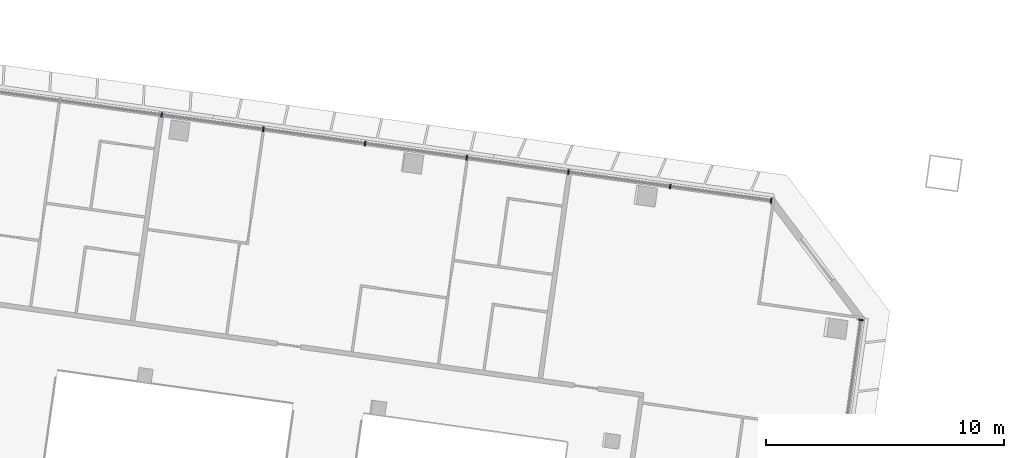
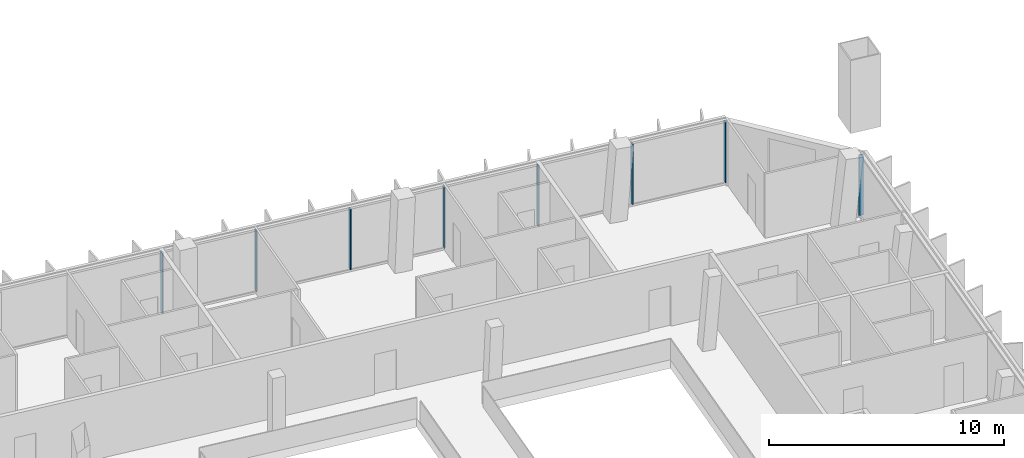
# One storey, part 6 of 23: 8 members, 2 elements without a shape of their own.
"""IFC4 building model written with IfcOpenShell, lengths in metres."""

from ifc_helpers import new_model, si_unit, direction, frame, origin, origin_2d, place, context, subcontext, project, spatial, rectangle, extrude, material, material_profile, profile_set, type_object, element, aggregate, save


model = new_model("IFC4")

# Units and contexts
model_context = context("Model", 3, precision=1e-05, world=origin(), true_north=direction((0.0, 1.0)))
body_context = subcontext(model_context, "Body", "Model", "MODEL_VIEW")
ifc_project = project(units=[si_unit("LENGTHUNIT", "METRE"), si_unit("AREAUNIT", "SQUARE_METRE"), si_unit("VOLUMEUNIT", "CUBIC_METRE"), si_unit("PLANEANGLEUNIT", "RADIAN"), si_unit("MASSUNIT", "GRAM", prefix="KILO")], contexts=[model_context])

# Site, building, storey
site_placement = place(None, origin())
site = spatial("IfcSite", under=ifc_project, at=site_placement, CompositionType="ELEMENT")
building_placement = place(site_placement, origin())
building = spatial("IfcBuilding", under=site, at=building_placement, Name="Mirante Cascada Hotel Towers", CompositionType="ELEMENT")
storey_placement = place(building_placement, frame((0.0, 0.0, 199.2)))
storey = spatial("IfcBuildingStorey", under=building, at=storey_placement, Name="L47", CompositionType="ELEMENT", Elevation=199.2)

# Curtain wall, members
ifc_material_1 = material(Name="Aluminium mullion and transom frame with clear laminated glass", Category="aluminium")
curtain_wall_type_1 = type_object("IfcCurtainWallType", Name="Ribbon curtain wall ECW1", PredefinedType="NOTDEFINED", material=ifc_material_1)
curtain_wall_1_placement = place(storey_placement, origin())
curtain_wall_1 = element("IfcCurtainWall", 1, at=curtain_wall_1_placement, inside=storey, type_object=curtain_wall_type_1, Name="Front ribbon wall T1 L47", PredefinedType="NOTDEFINED")
ifc_material_2 = material(Name="Anodised aluminium extrusion", Category="aluminium")
ifc_material_profile_1 = material_profile(ifc_material_2, rectangle(XDim=0.2, YDim=0.065, at=origin_2d()), Name="ECW1 MULLION 65x200")
ifc_profile_set_1 = profile_set([ifc_material_profile_1], Name="Anodised aluminium extrusion")
member_type_1 = type_object("IfcMemberType", Name="ECW1 mullion 65x200", PredefinedType="MULLION", material=ifc_profile_set_1)
member_1_placement = place(storey_placement, frame((-54.9376, 20.54, 0.1), z_axis=(0.0, 0.0, 1.0), x_axis=(0.1391731, 0.9902681, 0.0)))
member_1 = element("IfcMember", 2, at=member_1_placement, type_object=member_type_1, Name="ECW1 mullion 6", PredefinedType="MULLION", context=body_context, shape_type="SweptSolid", body=[
    extrude(rectangle(XDim=0.2, YDim=0.065, at=origin_2d()), origin(), (0.0, 0.0, 1.0), 3.15),
])
member_2_placement = place(storey_placement, frame((-50.6585, 19.9386, 0.1), z_axis=(0.0, 0.0, 1.0), x_axis=(0.1391731, 0.9902681, 0.0)))
member_2 = element("IfcMember", 3, at=member_2_placement, type_object=member_type_1, Name="ECW1 mullion 7", PredefinedType="MULLION", context=body_context, shape_type="SweptSolid", body=[
    extrude(rectangle(XDim=0.2, YDim=0.065, at=origin_2d()), origin(), (0.0, 0.0, 1.0), 3.15),
])
member_3_placement = place(storey_placement, frame((-46.3793, 19.3372, 0.1), z_axis=(0.0, 0.0, 1.0), x_axis=(0.1391731, 0.9902681, 0.0)))
member_3 = element("IfcMember", 4, at=member_3_placement, type_object=member_type_1, Name="ECW1 mullion 8", PredefinedType="MULLION", context=body_context, shape_type="SweptSolid", body=[
    extrude(rectangle(XDim=0.2, YDim=0.065, at=origin_2d()), origin(), (0.0, 0.0, 1.0), 3.15),
])
member_4_placement = place(storey_placement, frame((-42.1002, 18.7358, 0.1), z_axis=(0.0, 0.0, 1.0), x_axis=(0.1391731, 0.9902681, 0.0)))
member_4 = element("IfcMember", 5, at=member_4_placement, type_object=member_type_1, Name="ECW1 mullion 9", PredefinedType="MULLION", context=body_context, shape_type="SweptSolid", body=[
    extrude(rectangle(XDim=0.2, YDim=0.065, at=origin_2d()), origin(), (0.0, 0.0, 1.0), 3.15),
])
member_5_placement = place(storey_placement, frame((-37.8211, 18.1344, 0.1), z_axis=(0.0, 0.0, 1.0), x_axis=(0.1391731, 0.9902681, 0.0)))
member_5 = element("IfcMember", 6, at=member_5_placement, type_object=member_type_1, Name="ECW1 mullion 10", PredefinedType="MULLION", context=body_context, shape_type="SweptSolid", body=[
    extrude(rectangle(XDim=0.2, YDim=0.065, at=origin_2d()), origin(), (0.0, 0.0, 1.0), 3.15),
])
member_6_placement = place(storey_placement, frame((-33.5419, 17.533, 0.1), z_axis=(0.0, 0.0, 1.0), x_axis=(0.1391731, 0.9902681, 0.0)))
member_6 = element("IfcMember", 7, at=member_6_placement, type_object=member_type_1, Name="ECW1 mullion 11", PredefinedType="MULLION", context=body_context, shape_type="SweptSolid", body=[
    extrude(rectangle(XDim=0.2, YDim=0.065, at=origin_2d()), origin(), (0.0, 0.0, 1.0), 3.15),
])
member_7_placement = place(storey_placement, frame((-29.295, 16.9362, 0.1), z_axis=(0.0, 0.0, 1.0), x_axis=(0.1391731, 0.9902681, 0.0)))
member_7 = element("IfcMember", 8, at=member_7_placement, type_object=member_type_1, Name="ECW1 mullion 12", PredefinedType="MULLION", context=body_context, shape_type="SweptSolid", body=[
    extrude(rectangle(XDim=0.2, YDim=0.065, at=origin_2d()), origin(), (0.0, 0.0, 1.0), 3.15),
])
aggregate(curtain_wall_1, [member_1, member_2, member_3, member_4, member_5, member_6, member_7])

# Curtain wall, member
ifc_material_3 = material(Name="Aluminium mullion and transom frame with clear laminated glass", Category="aluminium")
curtain_wall_type_2 = type_object("IfcCurtainWallType", Name="End ribbon curtain wall ECW2", PredefinedType="NOTDEFINED", material=ifc_material_3)
curtain_wall_2_placement = place(storey_placement, origin())
curtain_wall_2 = element("IfcCurtainWall", 9, at=curtain_wall_2_placement, inside=storey, type_object=curtain_wall_type_2, Name="Inner end wall T1 L47", PredefinedType="NOTDEFINED")
ifc_material_4 = material(Name="Anodised aluminium extrusion", Category="aluminium")
ifc_material_profile_2 = material_profile(ifc_material_4, rectangle(XDim=0.2, YDim=0.065, at=origin_2d()), Name="ECW2 MULLION 65x200")
ifc_profile_set_2 = profile_set([ifc_material_profile_2], Name="Anodised aluminium extrusion")
member_type_2 = type_object("IfcMemberType", Name="ECW2 mullion 65x200", PredefinedType="MULLION", material=ifc_profile_set_2)
member_8_placement = place(storey_placement, frame((-25.5122, 11.9162, 0.1), z_axis=(0.0, 0.0, 1.0), x_axis=(0.9902681, -0.1391731, 0.0)))
member_8 = element("IfcMember", 10, at=member_8_placement, type_object=member_type_2, Name="ECW2 mullion 1", PredefinedType="MULLION", context=body_context, shape_type="SweptSolid", body=[
    extrude(rectangle(XDim=0.2, YDim=0.065, at=origin_2d()), origin(), (0.0, 0.0, 1.0), 3.15),
])
aggregate(curtain_wall_2, [member_8])

save(model, "model.ifc")
